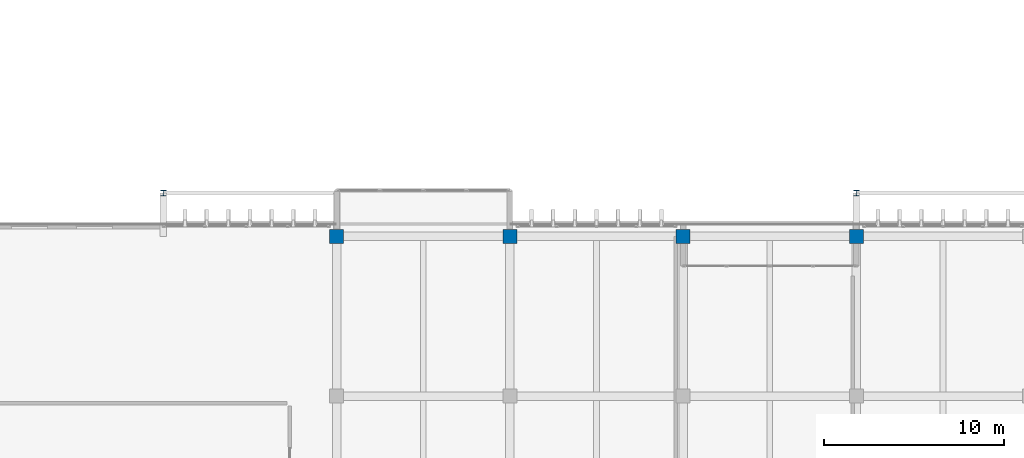
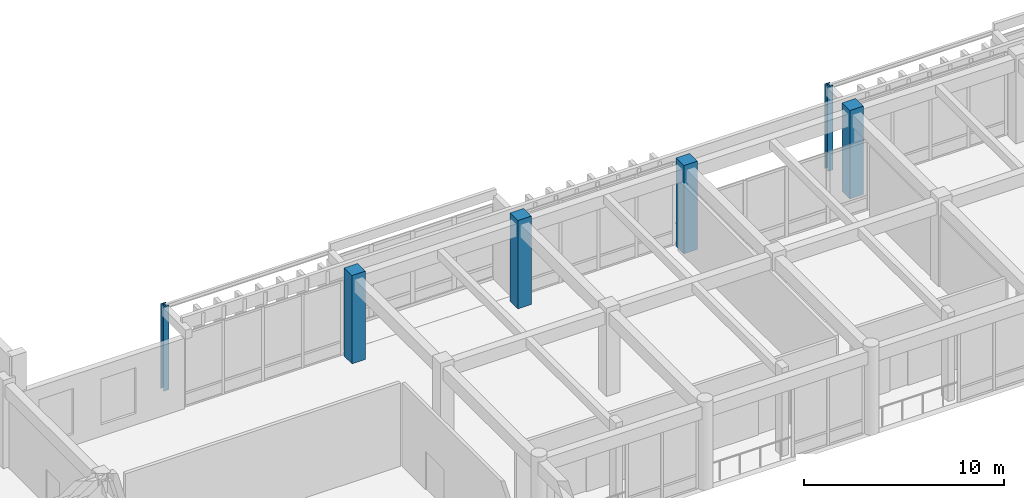
# One storey, part 4 of 134: 6 columns.
"""IFC4 building model written with IfcOpenShell, lengths in metres."""

from ifc_helpers import new_model, si_unit, direction, frame, origin, origin_2d, place, context, subcontext, project, spatial, rectangle, i_section, extrude, material, material_profile, profile_set, type_object, element, save


model = new_model("IFC4")

# Units and contexts
model_context = context("Model", 3, precision=1e-05, world=origin(), true_north=direction((0.0, 1.0)))
body_context = subcontext(model_context, "Body", "Model", "MODEL_VIEW")
ifc_project = project(units=[si_unit("LENGTHUNIT", "METRE"), si_unit("AREAUNIT", "SQUARE_METRE"), si_unit("VOLUMEUNIT", "CUBIC_METRE"), si_unit("PLANEANGLEUNIT", "RADIAN"), si_unit("MASSUNIT", "GRAM", prefix="KILO")], contexts=[model_context])

# Site, building, storey
site_placement = place(None, origin())
site = spatial("IfcSite", under=ifc_project, at=site_placement, CompositionType="ELEMENT")
building_placement = place(site_placement, origin())
building = spatial("IfcBuilding", under=site, at=building_placement, Name="Nakhvara Creek Congress Hotel", CompositionType="ELEMENT")
storey_placement = place(building_placement, frame((0.0, 0.0, 6.0)))
storey = spatial("IfcBuildingStorey", under=building, at=storey_placement, Name="L01", CompositionType="ELEMENT", Elevation=6.0)

# Columns
ifc_material_1 = material(Name="Concrete C50/60", Category="concrete")
ifc_material_profile_1 = material_profile(ifc_material_1, rectangle(XDim=0.780029296875, YDim=0.780029296875, at=origin_2d()), Name="RC-COL 780x780", Category="LoadBearing")
ifc_profile_set_1 = profile_set([ifc_material_profile_1], Name="Concrete C50/60")
column_type_1 = type_object("IfcColumnType", Name="COL-RC-780", PredefinedType="COLUMN", material=ifc_profile_set_1)
for number, where, z_axis, x_axis, name in (
    (1, (76.800048828125, 95.25, 0.0), (0.0, 0.0, 1.0), (1.0, 0.0, 0.0), "Column C19-L01-0908"),
    (2, (86.39990234375, 95.25, 0.0), (0.0, 0.0, 1.0), (1.0, 0.0, 0.0), "Column C19-L01-0916"),
    (3, (96.0, 95.25, 0.0), (0.0, 0.0, 1.0), (1.0, 0.0, 0.0), "Column C19-L01-0924"),
    (4, (105.60009765625, 95.25, 0.0), (0.0, 0.0, 1.0), (1.0, 0.0, 0.0), "Column C19-L01-0932"),
):
    element("IfcColumn", number, at=place(storey_placement, frame(where, z_axis=z_axis, x_axis=x_axis)), inside=storey, type_object=column_type_1, Name=name, PredefinedType="COLUMN", context=body_context, shape_type="SweptSolid", body=[
        extrude(rectangle(XDim=0.780029296875, YDim=0.780029296875, at=origin_2d()), origin(), (0.0, 0.0, 1.0), 5.39990234375),
    ])
ifc_material_2 = material(Name="Steel S355J2", Category="steel")
ifc_material_profile_2 = material_profile(ifc_material_2, i_section(OverallWidth=0.307373046875, OverallDepth=0.314453125, WebThickness=0.011962890625, FlangeThickness=0.018798828125, FilletRadius=0.01513671875, at=origin_2d()), Name="UC 305x305x118", Category="LoadBearing")
ifc_profile_set_2 = profile_set([ifc_material_profile_2], Name="Steel S355J2")
column_type_2 = type_object("IfcColumnType", Name="COL-ST-UC305", PredefinedType="COLUMN", material=ifc_profile_set_2)
for number, where, z_axis, x_axis, name in (
    (5, (67.199951171875, 97.64990234375, 0.0), (0.0, 0.0, 1.0), (1.0, 0.0, 0.0), "Column CS2-L01-0976"),
    (6, (105.60009765625, 97.64990234375, 0.0), (0.0, 0.0, 1.0), (1.0, 0.0, 0.0), "Column CS2-L01-0977"),
):
    element("IfcColumn", number, at=place(storey_placement, frame(where, z_axis=z_axis, x_axis=x_axis)), inside=storey, type_object=column_type_2, Name=name, PredefinedType="COLUMN", context=body_context, shape_type="SweptSolid", body=[
        extrude(i_section(OverallWidth=0.307373046875, OverallDepth=0.314453125, WebThickness=0.011962890625, FlangeThickness=0.018798828125, FilletRadius=0.01513671875, at=origin_2d()), origin(), (0.0, 0.0, 1.0), 5.179931640625),
    ])

save(model, "model.ifc")
